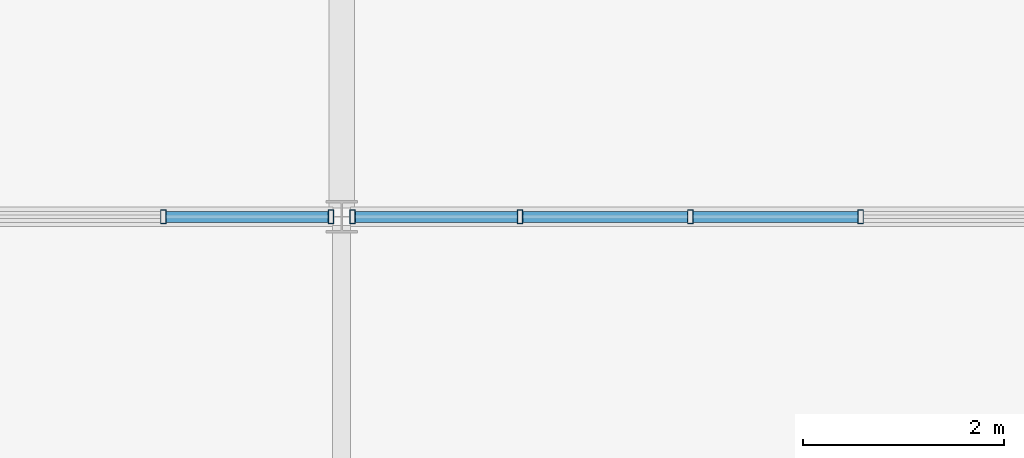
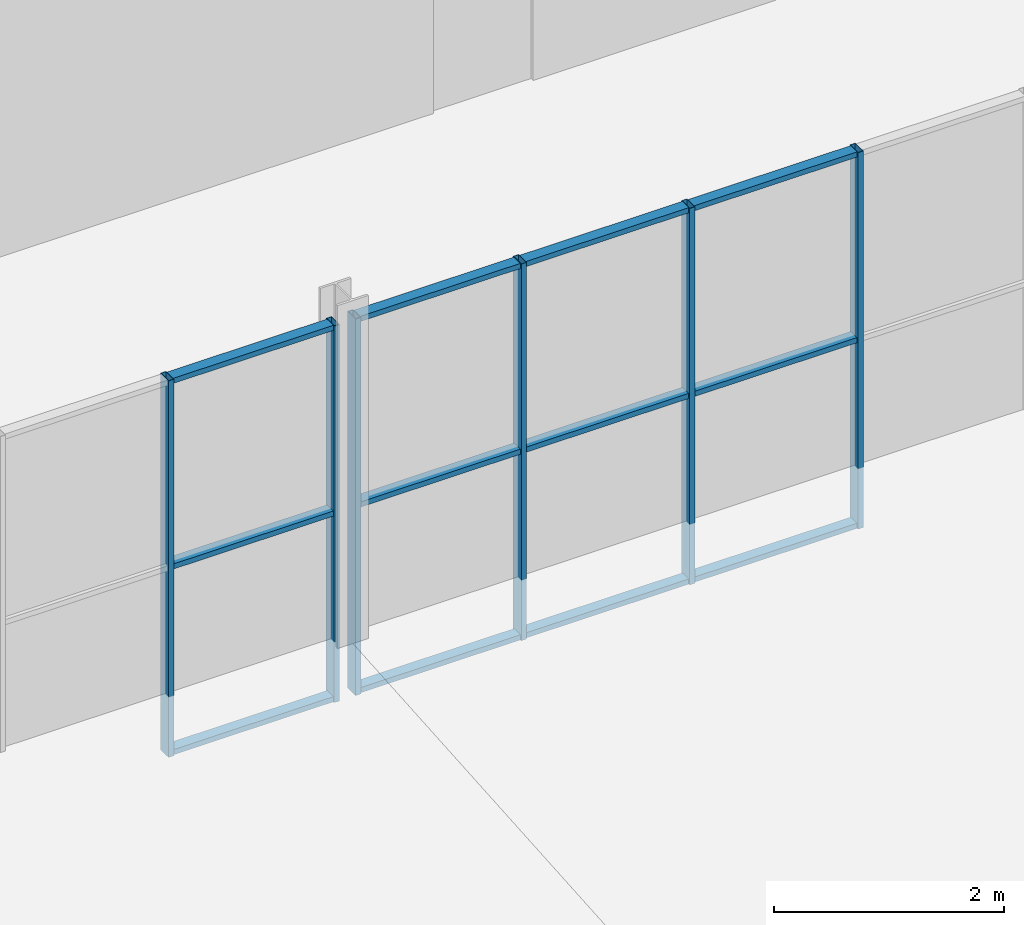
# One storey, part 186 of 324: 18 members, 2 elements without a shape of their own.
"""IFC4 building model written with IfcOpenShell, lengths in metres."""

import ifcopenshell
import ifcopenshell.guid

model = None  # the IFC model being written
_history = None  # IfcOwnerHistory: only IFC2X3 demands one
_inside = {}  # id of a spatial element -> (the spatial element, [elements in it])
_under = {}  # id of a project, library or spatial element -> (it, [spatial elements below it])
_declared = {}  # id of a project -> (the project, [libraries it declares])
_typed = {}  # id of a type object -> (the type object, [elements of that type])
_made_of = {}  # id of a material, layer set ... -> (it, [elements and type objects made of it])


def new_model(schema):
    """Start an empty IFC model of exactly this schema.

    Asked for "IFC4X3", IfcOpenShell would pick the latest addendum, in which some entities
    have other attributes; the version numbers below select the first issue.
    IFC2X3 requires an IfcOwnerHistory on every rooted entity: one is made here for all.
    """
    global model, _history
    if schema == "IFC4X3":
        model = ifcopenshell.file(schema_version=(4, 3, 0, 0))
    else:
        model = ifcopenshell.file(schema=schema)
    _inside.clear()
    _under.clear()
    _declared.clear()
    _typed.clear()
    _made_of.clear()
    _history = None
    if model.schema == "IFC2X3":
        org = make("IfcOrganization", Name="unknown")
        user = make(
            "IfcPersonAndOrganization",
            ThePerson=make("IfcPerson", FamilyName="unknown"),
            TheOrganization=org,
        )
        app = make(
            "IfcApplication",
            ApplicationDeveloper=org,
            Version="unknown",
            ApplicationFullName="unknown",
            ApplicationIdentifier="unknown",
        )
        _history = make(
            "IfcOwnerHistory",
            OwningUser=user,
            OwningApplication=app,
            ChangeAction="ADDED",
            CreationDate=0,
        )
    return model


def make(cls, **values):
    """One entity of the class cls with the attributes given. An attribute that is None is left unset."""
    return model.create_entity(
        cls, **{name: value for name, value in values.items() if value is not None}
    )


def rooted(cls, **values):
    """An entity with a GlobalId (a new one), such as an element, a storey or a relation."""
    return make(cls, GlobalId=ifcopenshell.guid.new(), OwnerHistory=_history, **values)


def si_unit(unit_type, name, prefix=None):
    """IfcSIUnit, for example si_unit("LENGTHUNIT", "METRE", prefix="MILLI")."""
    return make("IfcSIUnit", UnitType=unit_type, Prefix=prefix, Name=name)


def assignment(units):
    """IfcUnitAssignment: the units of a project."""
    return None if units is None else make("IfcUnitAssignment", Units=units)


def point(xyz):
    """IfcCartesianPoint."""
    return None if xyz is None else make("IfcCartesianPoint", Coordinates=xyz)


def direction(xyz):
    """IfcDirection."""
    return None if xyz is None else make("IfcDirection", DirectionRatios=xyz)


def frame(location, z_axis=None, x_axis=None):
    """IfcAxis2Placement3D, a coordinate frame: its origin and axes. An axis left out is left unset."""
    return make(
        "IfcAxis2Placement3D",
        Location=point(location),
        Axis=direction(z_axis),
        RefDirection=direction(x_axis),
    )


def frame_2d(location, x_axis=None):
    """IfcAxis2Placement2D, a coordinate frame in the plane: its origin and x axis."""
    return make(
        "IfcAxis2Placement2D", Location=point(location), RefDirection=direction(x_axis)
    )


def origin():
    """The frame at (0, 0, 0) with its axes left unset."""
    return frame((0.0, 0.0, 0.0))


def origin_2d():
    """The frame at (0, 0) in the plane with its x axis left unset."""
    return frame_2d((0.0, 0.0))


def place(relative_to, where):
    """IfcLocalPlacement: puts the frame where relative to a parent placement (None: the world)."""
    return make(
        "IfcLocalPlacement", PlacementRelTo=relative_to, RelativePlacement=where
    )


def context(
    kind, dimensions, precision=None, world=None, true_north=None, identifier=None
):
    """IfcGeometricRepresentationContext, for example the 3D "Model" context."""
    return make(
        "IfcGeometricRepresentationContext",
        ContextIdentifier=identifier,
        ContextType=kind,
        CoordinateSpaceDimension=dimensions,
        Precision=precision,
        WorldCoordinateSystem=world,
        TrueNorth=true_north,
    )


def subcontext(parent, identifier, kind, view, scale=None):
    """IfcGeometricRepresentationSubContext, for example "Body" below "Model"."""
    return make(
        "IfcGeometricRepresentationSubContext",
        ContextIdentifier=identifier,
        ContextType=kind,
        ParentContext=parent,
        TargetScale=scale,
        TargetView=view,
    )


def project(units=None, contexts=None):
    """IfcProject with its units and contexts."""
    return rooted(
        "IfcProject",
        Name="project",
        RepresentationContexts=contexts,
        UnitsInContext=assignment(units),
    )


def spatial(cls, under=None, at=None, **own):
    """A site, building, storey or space (cls), placed at a placement, below another one or the project."""
    s = rooted(cls, ObjectPlacement=at, **own)
    if under is not None:
        _under.setdefault(under.id(), (under, []))[1].append(s)
    return s


def profile(cls, at=None, kind="AREA", **sizes):
    """A parametric profile (cls). Its sizes go by their IFC names, for example OverallWidth=200.0."""
    return make(cls, ProfileType=kind, Position=at, **sizes)


def hollow_rectangle(**sizes):
    """IfcRectangleHollowProfileDef."""
    return profile("IfcRectangleHollowProfileDef", **sizes)


def extrude(swept, where, along, depth):
    """IfcExtrudedAreaSolid: the profile swept, set in the frame where, extruded along a direction by depth."""
    return make(
        "IfcExtrudedAreaSolid",
        SweptArea=swept,
        Position=where,
        ExtrudedDirection=direction(along),
        Depth=depth,
    )


def shape(context_of_items, identifier, shape_type, items):
    """IfcShapeRepresentation: the items that make up one representation, for example the "Body"."""
    return make(
        "IfcShapeRepresentation",
        ContextOfItems=context_of_items,
        RepresentationIdentifier=identifier,
        RepresentationType=shape_type,
        Items=items,
    )


def material(Name=None, Category=None):
    """IfcMaterial."""
    return make("IfcMaterial", Name=Name, Category=Category)


def layer(
    of_material, thickness, ventilated=None, Name=None, Category=None, Priority=None
):
    """IfcMaterialLayer: one layer of a wall or slab, of a material (None: an air gap)."""
    return make(
        "IfcMaterialLayer",
        Material=of_material,
        LayerThickness=thickness,
        IsVentilated=ventilated,
        Name=Name,
        Category=Category,
        Priority=Priority,
    )


def layer_set(layers, Name=None):
    """IfcMaterialLayerSet."""
    return make("IfcMaterialLayerSet", MaterialLayers=layers, LayerSetName=Name)


def material_profile(
    of_material, cross_section, Name=None, Category=None, Priority=None
):
    """IfcMaterialProfile: a cross section and its material."""
    return make(
        "IfcMaterialProfile",
        Name=Name,
        Material=of_material,
        Profile=cross_section,
        Priority=Priority,
        Category=Category,
    )


def profile_set(profiles, Name=None, composite=None):
    """IfcMaterialProfileSet."""
    return make(
        "IfcMaterialProfileSet",
        Name=Name,
        MaterialProfiles=profiles,
        CompositeProfile=composite,
    )


def made_of(thing, what):
    """Note that an element or type object is made of a material, layer set ...; save() writes the relation."""
    if what is not None:
        _made_of.setdefault(what.id(), (what, []))[1].append(thing)
    return thing


def type_object(cls, material=None, **own):
    """A type object (cls), such as IfcWallType, which elements share."""
    return made_of(rooted(cls, **own), material)


def element(
    cls,
    number,
    at=None,
    inside=None,
    cuts=None,
    type_object=None,
    material=None,
    context=None,
    identifier="Body",
    shape_type=None,
    held_by="IfcProductDefinitionShape",
    body=None,
    shapes=None,
    **own,
):
    """One element of the class cls, such as IfcWall. Its Tag is "e" and its number.

    at: its placement. inside: the storey or other place that contains it. cuts: it is an
    opening in that element (IfcRelVoidsElement). A single representation is given by context,
    identifier, shape_type and body (its items); several are given by shapes. held_by: the class
    of the entity that holds the representations. save() writes the other relations.
    """
    e = rooted(cls, Tag="e%d" % number, ObjectPlacement=at, **own)
    if body is not None:
        shapes = [shape(context, identifier, shape_type, body)]
    if shapes is not None:
        e.Representation = make(held_by, Representations=shapes)
    if inside is not None:
        _inside.setdefault(inside.id(), (inside, []))[1].append(e)
    if cuts is not None:
        rooted(
            "IfcRelVoidsElement", RelatingBuildingElement=cuts, RelatedOpeningElement=e
        )
    if type_object is not None:
        _typed.setdefault(type_object.id(), (type_object, []))[1].append(e)
    return made_of(e, material)


def aggregate(whole, parts):
    """IfcRelAggregates: a whole, such as a stair, and the parts it consists of."""
    return rooted("IfcRelAggregates", RelatingObject=whole, RelatedObjects=parts)


def save(model, path):
    """Write the relations noted so far, then the file.

    IfcRelAggregates (storeys below a building ...), IfcRelContainedInSpatialStructure (elements
    in a storey), IfcRelDefinesByType, IfcRelAssociatesMaterial and IfcRelDeclares: one each for
    every whole, place, type object, material and project.
    """
    for whole, parts in _under.values():
        aggregate(whole, parts)
    for where, things in _inside.values():
        rooted(
            "IfcRelContainedInSpatialStructure",
            RelatedElements=things,
            RelatingStructure=where,
        )
    for kind, things in _typed.values():
        rooted("IfcRelDefinesByType", RelatedObjects=things, RelatingType=kind)
    for what, things in _made_of.values():
        rooted("IfcRelAssociatesMaterial", RelatedObjects=things, RelatingMaterial=what)
    for by, libraries in _declared.values():
        rooted("IfcRelDeclares", RelatingContext=by, RelatedDefinitions=libraries)
    model.write(path)


model = new_model("IFC4")

# Units and contexts
model_context = context("Model", 3, precision=1e-05, world=origin(), true_north=direction((0.0, 1.0)))
body_context = subcontext(model_context, "Body", "Model", "MODEL_VIEW")
ifc_project = project(units=[si_unit("LENGTHUNIT", "METRE"), si_unit("AREAUNIT", "SQUARE_METRE"), si_unit("VOLUMEUNIT", "CUBIC_METRE"), si_unit("PLANEANGLEUNIT", "RADIAN"), si_unit("MASSUNIT", "GRAM", prefix="KILO")], contexts=[model_context])

# Site, building, storey
site_placement = place(None, origin())
site = spatial("IfcSite", under=ifc_project, at=site_placement, CompositionType="ELEMENT")
building_placement = place(site_placement, origin())
building = spatial("IfcBuilding", under=site, at=building_placement, Name="Solvenia Promenade Tram Depot", CompositionType="ELEMENT")
storey_placement = place(building_placement, frame((0.0, 0.0, 4.5)))
storey = spatial("IfcBuildingStorey", under=building, at=storey_placement, Name="L01", CompositionType="ELEMENT", Elevation=4.5)

# Curtain wall, members
ifc_material = material(Name="Anodized aluminium AW-6063 T6", Category="aluminium")
ifc_layer = layer(ifc_material, 0.179931640625, Name="Anodized aluminium AW-6063 T6", Category="aluminium")
ifc_layer_set = layer_set([ifc_layer], Name="Anodized aluminium AW-6063 T6")
curtain_wall_type = type_object("IfcCurtainWallType", Name="CW-Prom-1800", PredefinedType="NOTDEFINED", material=ifc_layer_set)
curtain_wall_1_placement = place(storey_placement, origin())
curtain_wall_1 = element("IfcCurtainWall", 1, at=curtain_wall_1_placement, inside=storey, type_object=curtain_wall_type, Name="Curtain Wall CW-V5S-L1-03", PredefinedType="NOTDEFINED")
ifc_material_profile_1 = material_profile(ifc_material, hollow_rectangle(XDim=0.139892578125, YDim=0.054931640625, WallThickness=0.00390625, at=origin_2d()), Name="ALU-M4", Category="aluminium")
ifc_profile_set_1 = profile_set([ifc_material_profile_1], Name="Anodized aluminium AW-6063 T6")
member_type_1 = type_object("IfcMemberType", Name="CWM-Mullion-4", PredefinedType="MULLION", material=ifc_profile_set_1)
member_1_placement = place(storey_placement, frame((160.228515625, 8.0, 0.0), z_axis=(0.0, 0.0, 1.0), x_axis=(0.0, 1.0, 0.0)))
member_1 = element("IfcMember", 2, at=member_1_placement, type_object=member_type_1, Name="CW-9 mullion 7", PredefinedType="MULLION", context=body_context, shape_type="SweptSolid", body=[
    extrude(hollow_rectangle(XDim=0.139892578125, YDim=0.054931640625, WallThickness=0.00390625, at=origin_2d()), origin(), (0.0, 0.0, 1.0), 4.0),
])
member_2_placement = place(storey_placement, frame((161.892578125, 8.0, 0.0), z_axis=(0.0, 0.0, 1.0), x_axis=(0.0, 1.0, 0.0)))
member_2 = element("IfcMember", 3, at=member_2_placement, type_object=member_type_1, Name="CW-9 mullion 8", PredefinedType="MULLION", context=body_context, shape_type="SweptSolid", body=[
    extrude(hollow_rectangle(XDim=0.139892578125, YDim=0.054931640625, WallThickness=0.00390625, at=origin_2d()), origin(), (0.0, 0.0, 1.0), 4.0),
])

curtain_wall_2_placement = place(storey_placement, origin())
curtain_wall_2 = element("IfcCurtainWall", 4, at=curtain_wall_2_placement, inside=storey, type_object=curtain_wall_type, Name="Curtain Wall CW-V5S-L1-04", PredefinedType="NOTDEFINED")
member_3_placement = place(storey_placement, frame((162.107421875, 8.0, 0.0), z_axis=(0.0, 0.0, 1.0), x_axis=(0.0, 1.0, 0.0)))
member_3 = element("IfcMember", 5, at=member_3_placement, type_object=member_type_1, Name="CW-9 mullion 1", PredefinedType="MULLION", context=body_context, shape_type="SweptSolid", body=[
    extrude(hollow_rectangle(XDim=0.139892578125, YDim=0.054931640625, WallThickness=0.00390625, at=origin_2d()), origin(), (0.0, 0.0, 1.0), 4.0),
])
member_4_placement = place(storey_placement, frame((163.771484375, 8.0, 0.0), z_axis=(0.0, 0.0, 1.0), x_axis=(0.0, 1.0, 0.0)))
member_4 = element("IfcMember", 6, at=member_4_placement, type_object=member_type_1, Name="CW-9 mullion 2", PredefinedType="MULLION", context=body_context, shape_type="SweptSolid", body=[
    extrude(hollow_rectangle(XDim=0.139892578125, YDim=0.054931640625, WallThickness=0.00390625, at=origin_2d()), origin(), (0.0, 0.0, 1.0), 4.0),
])
member_5_placement = place(storey_placement, frame((165.462890625, 8.0, 0.0), z_axis=(0.0, 0.0, 1.0), x_axis=(0.0, 1.0, 0.0)))
member_5 = element("IfcMember", 7, at=member_5_placement, type_object=member_type_1, Name="CW-9 mullion 3", PredefinedType="MULLION", context=body_context, shape_type="SweptSolid", body=[
    extrude(hollow_rectangle(XDim=0.139892578125, YDim=0.054931640625, WallThickness=0.00390625, at=origin_2d()), origin(), (0.0, 0.0, 1.0), 4.0),
])
member_6_placement = place(storey_placement, frame((167.154296875, 8.0, 0.0), z_axis=(0.0, 0.0, 1.0), x_axis=(0.0, 1.0, 0.0)))
member_6 = element("IfcMember", 8, at=member_6_placement, type_object=member_type_1, Name="CW-9 mullion 4", PredefinedType="MULLION", context=body_context, shape_type="SweptSolid", body=[
    extrude(hollow_rectangle(XDim=0.139892578125, YDim=0.054931640625, WallThickness=0.00390625, at=origin_2d()), origin(), (0.0, 0.0, 1.0), 4.0),
])

# Member
ifc_material_profile_2 = material_profile(ifc_material, hollow_rectangle(XDim=0.110107421875, YDim=0.054931640625, WallThickness=0.00390625, at=origin_2d()), Name="ALU-T4", Category="aluminium")
ifc_profile_set_2 = profile_set([ifc_material_profile_2], Name="Anodized aluminium AW-6063 T6")
member_type_2 = type_object("IfcMemberType", Name="CWT-Transom-4", PredefinedType="USERDEFINED", material=ifc_profile_set_2)
member_7_placement = place(storey_placement, frame((160.256103515625, 8.0, 0.027587890625), z_axis=(1.0, 0.0, 0.0), x_axis=(0.0, 1.0, 0.0)))
member_7 = element("IfcMember", 9, at=member_7_placement, type_object=member_type_2, Name="CW-9 transom 7.1", ObjectType="TRANSOM", PredefinedType="USERDEFINED", context=body_context, shape_type="SweptSolid", body=[
    extrude(hollow_rectangle(XDim=0.110107421875, YDim=0.054931640625, WallThickness=0.00390625, at=origin_2d()), origin(), (0.0, 0.0, 1.0), 1.60888671875),
])

member_8_placement = place(storey_placement, frame((160.256103515625, 8.0, 2.0), z_axis=(1.0, 0.0, 0.0), x_axis=(0.0, 1.0, 0.0)))
member_8 = element("IfcMember", 10, at=member_8_placement, type_object=member_type_2, Name="CW-9 transom 7.2", ObjectType="TRANSOM", PredefinedType="USERDEFINED", context=body_context, shape_type="SweptSolid", body=[
    extrude(hollow_rectangle(XDim=0.110107421875, YDim=0.054931640625, WallThickness=0.00390625, at=origin_2d()), origin(), (0.0, 0.0, 1.0), 1.60888671875),
])

member_9_placement = place(storey_placement, frame((160.256103515625, 8.0, 3.972412109375), z_axis=(1.0, 0.0, 0.0), x_axis=(0.0, 1.0, 0.0)))
member_9 = element("IfcMember", 11, at=member_9_placement, type_object=member_type_2, Name="CW-9 transom 7.3", ObjectType="TRANSOM", PredefinedType="USERDEFINED", context=body_context, shape_type="SweptSolid", body=[
    extrude(hollow_rectangle(XDim=0.110107421875, YDim=0.054931640625, WallThickness=0.00390625, at=origin_2d()), origin(), (0.0, 0.0, 1.0), 1.60888671875),
])

aggregate(curtain_wall_1, [member_1, member_2, member_7, member_8, member_9])

member_10_placement = place(storey_placement, frame((162.135009765625, 8.0, 0.027587890625), z_axis=(1.0, 0.0, 0.0), x_axis=(0.0, 1.0, 0.0)))
member_10 = element("IfcMember", 12, at=member_10_placement, type_object=member_type_2, Name="CW-9 transom 1.1", ObjectType="TRANSOM", PredefinedType="USERDEFINED", context=body_context, shape_type="SweptSolid", body=[
    extrude(hollow_rectangle(XDim=0.110107421875, YDim=0.054931640625, WallThickness=0.00390625, at=origin_2d()), origin(), (0.0, 0.0, 1.0), 1.60888671875),
])

member_11_placement = place(storey_placement, frame((162.135009765625, 8.0, 2.0), z_axis=(1.0, 0.0, 0.0), x_axis=(0.0, 1.0, 0.0)))
member_11 = element("IfcMember", 13, at=member_11_placement, type_object=member_type_2, Name="CW-9 transom 1.2", ObjectType="TRANSOM", PredefinedType="USERDEFINED", context=body_context, shape_type="SweptSolid", body=[
    extrude(hollow_rectangle(XDim=0.110107421875, YDim=0.054931640625, WallThickness=0.00390625, at=origin_2d()), origin(), (0.0, 0.0, 1.0), 1.60888671875),
])

member_12_placement = place(storey_placement, frame((162.135009765625, 8.0, 3.972412109375), z_axis=(1.0, 0.0, 0.0), x_axis=(0.0, 1.0, 0.0)))
member_12 = element("IfcMember", 14, at=member_12_placement, type_object=member_type_2, Name="CW-9 transom 1.3", ObjectType="TRANSOM", PredefinedType="USERDEFINED", context=body_context, shape_type="SweptSolid", body=[
    extrude(hollow_rectangle(XDim=0.110107421875, YDim=0.054931640625, WallThickness=0.00390625, at=origin_2d()), origin(), (0.0, 0.0, 1.0), 1.60888671875),
])

member_13_placement = place(storey_placement, frame((163.798828125, 8.0, 0.027587890625), z_axis=(1.0, 0.0, 0.0), x_axis=(0.0, 1.0, 0.0)))
member_13 = element("IfcMember", 15, at=member_13_placement, type_object=member_type_2, Name="CW-9 transom 2.1", ObjectType="TRANSOM", PredefinedType="USERDEFINED", context=body_context, shape_type="SweptSolid", body=[
    extrude(hollow_rectangle(XDim=0.110107421875, YDim=0.054931640625, WallThickness=0.00390625, at=origin_2d()), origin(), (0.0, 0.0, 1.0), 1.636474609375),
])

member_14_placement = place(storey_placement, frame((163.798828125, 8.0, 2.0), z_axis=(1.0, 0.0, 0.0), x_axis=(0.0, 1.0, 0.0)))
member_14 = element("IfcMember", 16, at=member_14_placement, type_object=member_type_2, Name="CW-9 transom 2.2", ObjectType="TRANSOM", PredefinedType="USERDEFINED", context=body_context, shape_type="SweptSolid", body=[
    extrude(hollow_rectangle(XDim=0.110107421875, YDim=0.054931640625, WallThickness=0.00390625, at=origin_2d()), origin(), (0.0, 0.0, 1.0), 1.636474609375),
])

member_15_placement = place(storey_placement, frame((163.798828125, 8.0, 3.972412109375), z_axis=(1.0, 0.0, 0.0), x_axis=(0.0, 1.0, 0.0)))
member_15 = element("IfcMember", 17, at=member_15_placement, type_object=member_type_2, Name="CW-9 transom 2.3", ObjectType="TRANSOM", PredefinedType="USERDEFINED", context=body_context, shape_type="SweptSolid", body=[
    extrude(hollow_rectangle(XDim=0.110107421875, YDim=0.054931640625, WallThickness=0.00390625, at=origin_2d()), origin(), (0.0, 0.0, 1.0), 1.636474609375),
])

member_16_placement = place(storey_placement, frame((165.490478515625, 8.0, 0.027587890625), z_axis=(1.0, 0.0, 0.0), x_axis=(0.0, 1.0, 0.0)))
member_16 = element("IfcMember", 18, at=member_16_placement, type_object=member_type_2, Name="CW-9 transom 3.1", ObjectType="TRANSOM", PredefinedType="USERDEFINED", context=body_context, shape_type="SweptSolid", body=[
    extrude(hollow_rectangle(XDim=0.110107421875, YDim=0.054931640625, WallThickness=0.00390625, at=origin_2d()), origin(), (0.0, 0.0, 1.0), 1.63623046875),
])

member_17_placement = place(storey_placement, frame((165.490478515625, 8.0, 2.0), z_axis=(1.0, 0.0, 0.0), x_axis=(0.0, 1.0, 0.0)))
member_17 = element("IfcMember", 19, at=member_17_placement, type_object=member_type_2, Name="CW-9 transom 3.2", ObjectType="TRANSOM", PredefinedType="USERDEFINED", context=body_context, shape_type="SweptSolid", body=[
    extrude(hollow_rectangle(XDim=0.110107421875, YDim=0.054931640625, WallThickness=0.00390625, at=origin_2d()), origin(), (0.0, 0.0, 1.0), 1.63623046875),
])

member_18_placement = place(storey_placement, frame((165.490478515625, 8.0, 3.972412109375), z_axis=(1.0, 0.0, 0.0), x_axis=(0.0, 1.0, 0.0)))
member_18 = element("IfcMember", 20, at=member_18_placement, type_object=member_type_2, Name="CW-9 transom 3.3", ObjectType="TRANSOM", PredefinedType="USERDEFINED", context=body_context, shape_type="SweptSolid", body=[
    extrude(hollow_rectangle(XDim=0.110107421875, YDim=0.054931640625, WallThickness=0.00390625, at=origin_2d()), origin(), (0.0, 0.0, 1.0), 1.63623046875),
])

aggregate(curtain_wall_2, [member_3, member_4, member_5, member_6, member_10, member_11, member_12, member_13, member_14, member_15, member_16, member_17, member_18])

save(model, "model.ifc")
